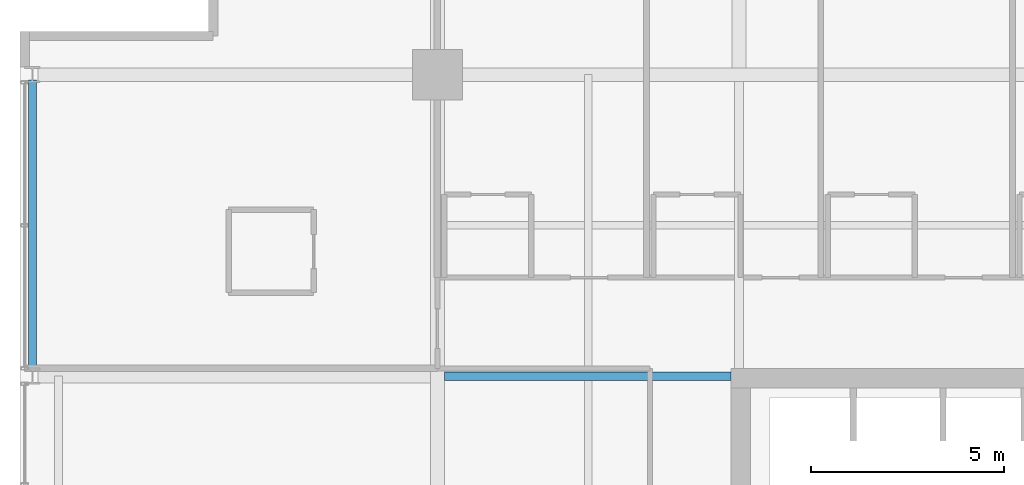
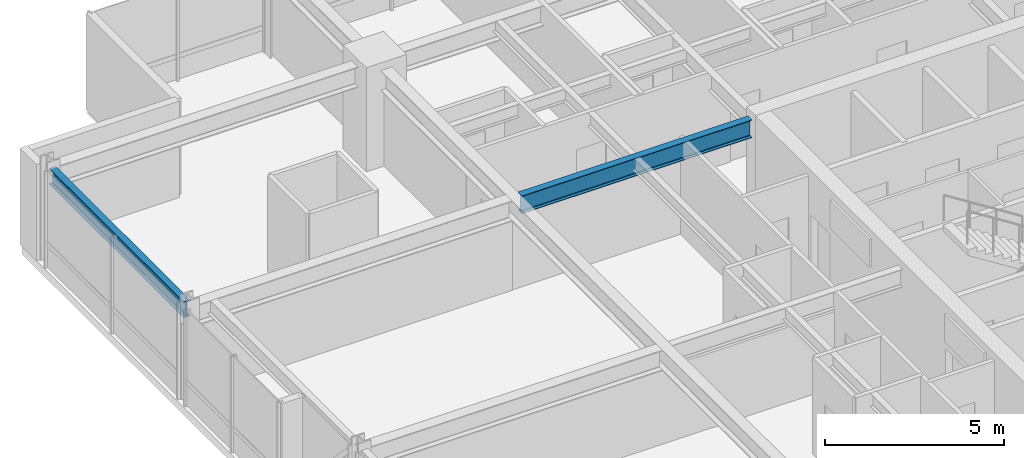
# One storey, part 17 of 33: 2 beams.
"""IFC4 building model written with IfcOpenShell, lengths in metres."""

import ifcopenshell
import ifcopenshell.guid

model = None  # the IFC model being written
_history = None  # IfcOwnerHistory: only IFC2X3 demands one
_inside = {}  # id of a spatial element -> (the spatial element, [elements in it])
_under = {}  # id of a project, library or spatial element -> (it, [spatial elements below it])
_declared = {}  # id of a project -> (the project, [libraries it declares])
_typed = {}  # id of a type object -> (the type object, [elements of that type])
_made_of = {}  # id of a material, layer set ... -> (it, [elements and type objects made of it])


def new_model(schema):
    """Start an empty IFC model of exactly this schema.

    Asked for "IFC4X3", IfcOpenShell would pick the latest addendum, in which some entities
    have other attributes; the version numbers below select the first issue.
    IFC2X3 requires an IfcOwnerHistory on every rooted entity: one is made here for all.
    """
    global model, _history
    if schema == "IFC4X3":
        model = ifcopenshell.file(schema_version=(4, 3, 0, 0))
    else:
        model = ifcopenshell.file(schema=schema)
    _inside.clear()
    _under.clear()
    _declared.clear()
    _typed.clear()
    _made_of.clear()
    _history = None
    if model.schema == "IFC2X3":
        org = make("IfcOrganization", Name="unknown")
        user = make(
            "IfcPersonAndOrganization",
            ThePerson=make("IfcPerson", FamilyName="unknown"),
            TheOrganization=org,
        )
        app = make(
            "IfcApplication",
            ApplicationDeveloper=org,
            Version="unknown",
            ApplicationFullName="unknown",
            ApplicationIdentifier="unknown",
        )
        _history = make(
            "IfcOwnerHistory",
            OwningUser=user,
            OwningApplication=app,
            ChangeAction="ADDED",
            CreationDate=0,
        )
    return model


def make(cls, **values):
    """One entity of the class cls with the attributes given. An attribute that is None is left unset."""
    return model.create_entity(
        cls, **{name: value for name, value in values.items() if value is not None}
    )


def rooted(cls, **values):
    """An entity with a GlobalId (a new one), such as an element, a storey or a relation."""
    return make(cls, GlobalId=ifcopenshell.guid.new(), OwnerHistory=_history, **values)


def si_unit(unit_type, name, prefix=None):
    """IfcSIUnit, for example si_unit("LENGTHUNIT", "METRE", prefix="MILLI")."""
    return make("IfcSIUnit", UnitType=unit_type, Prefix=prefix, Name=name)


def assignment(units):
    """IfcUnitAssignment: the units of a project."""
    return None if units is None else make("IfcUnitAssignment", Units=units)


def point(xyz):
    """IfcCartesianPoint."""
    return None if xyz is None else make("IfcCartesianPoint", Coordinates=xyz)


def direction(xyz):
    """IfcDirection."""
    return None if xyz is None else make("IfcDirection", DirectionRatios=xyz)


def frame(location, z_axis=None, x_axis=None):
    """IfcAxis2Placement3D, a coordinate frame: its origin and axes. An axis left out is left unset."""
    return make(
        "IfcAxis2Placement3D",
        Location=point(location),
        Axis=direction(z_axis),
        RefDirection=direction(x_axis),
    )


def frame_2d(location, x_axis=None):
    """IfcAxis2Placement2D, a coordinate frame in the plane: its origin and x axis."""
    return make(
        "IfcAxis2Placement2D", Location=point(location), RefDirection=direction(x_axis)
    )


def origin():
    """The frame at (0, 0, 0) with its axes left unset."""
    return frame((0.0, 0.0, 0.0))


def origin_2d():
    """The frame at (0, 0) in the plane with its x axis left unset."""
    return frame_2d((0.0, 0.0))


def place(relative_to, where):
    """IfcLocalPlacement: puts the frame where relative to a parent placement (None: the world)."""
    return make(
        "IfcLocalPlacement", PlacementRelTo=relative_to, RelativePlacement=where
    )


def context(
    kind, dimensions, precision=None, world=None, true_north=None, identifier=None
):
    """IfcGeometricRepresentationContext, for example the 3D "Model" context."""
    return make(
        "IfcGeometricRepresentationContext",
        ContextIdentifier=identifier,
        ContextType=kind,
        CoordinateSpaceDimension=dimensions,
        Precision=precision,
        WorldCoordinateSystem=world,
        TrueNorth=true_north,
    )


def subcontext(parent, identifier, kind, view, scale=None):
    """IfcGeometricRepresentationSubContext, for example "Body" below "Model"."""
    return make(
        "IfcGeometricRepresentationSubContext",
        ContextIdentifier=identifier,
        ContextType=kind,
        ParentContext=parent,
        TargetScale=scale,
        TargetView=view,
    )


def project(units=None, contexts=None):
    """IfcProject with its units and contexts."""
    return rooted(
        "IfcProject",
        Name="project",
        RepresentationContexts=contexts,
        UnitsInContext=assignment(units),
    )


def spatial(cls, under=None, at=None, **own):
    """A site, building, storey or space (cls), placed at a placement, below another one or the project."""
    s = rooted(cls, ObjectPlacement=at, **own)
    if under is not None:
        _under.setdefault(under.id(), (under, []))[1].append(s)
    return s


def profile(cls, at=None, kind="AREA", **sizes):
    """A parametric profile (cls). Its sizes go by their IFC names, for example OverallWidth=200.0."""
    return make(cls, ProfileType=kind, Position=at, **sizes)


def i_section(**sizes):
    """IfcIShapeProfileDef."""
    return profile("IfcIShapeProfileDef", **sizes)


def extrude(swept, where, along, depth):
    """IfcExtrudedAreaSolid: the profile swept, set in the frame where, extruded along a direction by depth."""
    return make(
        "IfcExtrudedAreaSolid",
        SweptArea=swept,
        Position=where,
        ExtrudedDirection=direction(along),
        Depth=depth,
    )


def shape(context_of_items, identifier, shape_type, items):
    """IfcShapeRepresentation: the items that make up one representation, for example the "Body"."""
    return make(
        "IfcShapeRepresentation",
        ContextOfItems=context_of_items,
        RepresentationIdentifier=identifier,
        RepresentationType=shape_type,
        Items=items,
    )


def material(Name=None, Category=None):
    """IfcMaterial."""
    return make("IfcMaterial", Name=Name, Category=Category)


def material_profile(
    of_material, cross_section, Name=None, Category=None, Priority=None
):
    """IfcMaterialProfile: a cross section and its material."""
    return make(
        "IfcMaterialProfile",
        Name=Name,
        Material=of_material,
        Profile=cross_section,
        Priority=Priority,
        Category=Category,
    )


def profile_set(profiles, Name=None, composite=None):
    """IfcMaterialProfileSet."""
    return make(
        "IfcMaterialProfileSet",
        Name=Name,
        MaterialProfiles=profiles,
        CompositeProfile=composite,
    )


def made_of(thing, what):
    """Note that an element or type object is made of a material, layer set ...; save() writes the relation."""
    if what is not None:
        _made_of.setdefault(what.id(), (what, []))[1].append(thing)
    return thing


def type_object(cls, material=None, **own):
    """A type object (cls), such as IfcWallType, which elements share."""
    return made_of(rooted(cls, **own), material)


def element(
    cls,
    number,
    at=None,
    inside=None,
    cuts=None,
    type_object=None,
    material=None,
    context=None,
    identifier="Body",
    shape_type=None,
    held_by="IfcProductDefinitionShape",
    body=None,
    shapes=None,
    **own,
):
    """One element of the class cls, such as IfcWall. Its Tag is "e" and its number.

    at: its placement. inside: the storey or other place that contains it. cuts: it is an
    opening in that element (IfcRelVoidsElement). A single representation is given by context,
    identifier, shape_type and body (its items); several are given by shapes. held_by: the class
    of the entity that holds the representations. save() writes the other relations.
    """
    e = rooted(cls, Tag="e%d" % number, ObjectPlacement=at, **own)
    if body is not None:
        shapes = [shape(context, identifier, shape_type, body)]
    if shapes is not None:
        e.Representation = make(held_by, Representations=shapes)
    if inside is not None:
        _inside.setdefault(inside.id(), (inside, []))[1].append(e)
    if cuts is not None:
        rooted(
            "IfcRelVoidsElement", RelatingBuildingElement=cuts, RelatedOpeningElement=e
        )
    if type_object is not None:
        _typed.setdefault(type_object.id(), (type_object, []))[1].append(e)
    return made_of(e, material)


def aggregate(whole, parts):
    """IfcRelAggregates: a whole, such as a stair, and the parts it consists of."""
    return rooted("IfcRelAggregates", RelatingObject=whole, RelatedObjects=parts)


def save(model, path):
    """Write the relations noted so far, then the file.

    IfcRelAggregates (storeys below a building ...), IfcRelContainedInSpatialStructure (elements
    in a storey), IfcRelDefinesByType, IfcRelAssociatesMaterial and IfcRelDeclares: one each for
    every whole, place, type object, material and project.
    """
    for whole, parts in _under.values():
        aggregate(whole, parts)
    for where, things in _inside.values():
        rooted(
            "IfcRelContainedInSpatialStructure",
            RelatedElements=things,
            RelatingStructure=where,
        )
    for kind, things in _typed.values():
        rooted("IfcRelDefinesByType", RelatedObjects=things, RelatingType=kind)
    for what, things in _made_of.values():
        rooted("IfcRelAssociatesMaterial", RelatedObjects=things, RelatingMaterial=what)
    for by, libraries in _declared.values():
        rooted("IfcRelDeclares", RelatingContext=by, RelatedDefinitions=libraries)
    model.write(path)


model = new_model("IFC4")

# Units and contexts
model_context = context("Model", 3, precision=1e-05, world=origin(), true_north=direction((0.0, 1.0)))
body_context = subcontext(model_context, "Body", "Model", "MODEL_VIEW")
ifc_project = project(units=[si_unit("LENGTHUNIT", "METRE"), si_unit("AREAUNIT", "SQUARE_METRE"), si_unit("VOLUMEUNIT", "CUBIC_METRE"), si_unit("PLANEANGLEUNIT", "RADIAN"), si_unit("MASSUNIT", "GRAM", prefix="KILO")], contexts=[model_context])

# Site, building, storey
site_placement = place(None, origin())
site = spatial("IfcSite", under=ifc_project, at=site_placement, CompositionType="ELEMENT")
building_placement = place(site_placement, origin())
building = spatial("IfcBuilding", under=site, at=building_placement, Name="Drelvath Grand Hotel", CompositionType="ELEMENT")
storey_placement = place(building_placement, frame((0.0, 0.0, 153.949951171875)))
storey = spatial("IfcBuildingStorey", under=building, at=storey_placement, Name="L39", CompositionType="ELEMENT", Elevation=153.949951171875)

# Beams
ifc_material = material(Name="Steel ASTM A992 Gr 50", Category="steel")
ifc_material_profile_1 = material_profile(ifc_material, i_section(OverallWidth=0.210205078125, OverallDepth=0.53662109375, WebThickness=0.010986328125, FlangeThickness=0.017333984375, FilletRadius=0.01806640625, at=origin_2d()), Name="W21X68")
ifc_profile_set_1 = profile_set([ifc_material_profile_1], Name="Steel ASTM A992 Gr 50")
beam_type_1 = type_object("IfcBeamType", Name="Perimeter Spandrel Beam W21X68", PredefinedType="SPANDREL", material=ifc_profile_set_1)
beam_1_placement = place(storey_placement, frame((-26.679931640625, 35.5400390625, 3.021728515625), z_axis=(0.0, 1.0, 0.0), x_axis=(-1.0, 0.0, 0.0)))
element("IfcBeam", 1, at=beam_1_placement, inside=storey, type_object=beam_type_1, Name="L39 Spandrel West N", PredefinedType="SPANDREL", context=body_context, shape_type="SweptSolid", body=[
    extrude(i_section(OverallWidth=0.210205078125, OverallDepth=0.53662109375, WebThickness=0.010986328125, FlangeThickness=0.017333984375, FilletRadius=0.01806640625, at=origin_2d()), origin(), (0.0, 0.0, 1.0), 7.52001953125),
])
ifc_material_profile_2 = material_profile(ifc_material, i_section(OverallWidth=0.228271484375, OverallDepth=0.607666015625, WebThickness=0.01123046875, FlangeThickness=0.017333984375, FilletRadius=0.02001953125, at=origin_2d()), Name="W24X76")
ifc_profile_set_2 = profile_set([ifc_material_profile_2], Name="Steel ASTM A992 Gr 50")
beam_type_2 = type_object("IfcBeamType", Name="Primary Floor Girder W24X76", PredefinedType="BEAM", material=ifc_profile_set_2)
beam_2_placement = place(storey_placement, frame((-16.022705078125, 35.39990234375, 2.986328125), z_axis=(1.0, 0.0, 0.0), x_axis=(0.0, 1.0, 0.0)))
element("IfcBeam", 2, at=beam_2_placement, inside=storey, type_object=beam_type_2, Name="L39 West Core Tie F", PredefinedType="BEAM", context=body_context, shape_type="SweptSolid", body=[
    extrude(i_section(OverallWidth=0.228271484375, OverallDepth=0.607666015625, WebThickness=0.01123046875, FlangeThickness=0.017333984375, FilletRadius=0.02001953125, at=origin_2d()), origin(), (0.0, 0.0, 1.0), 7.422607421875),
])

save(model, "model.ifc")
